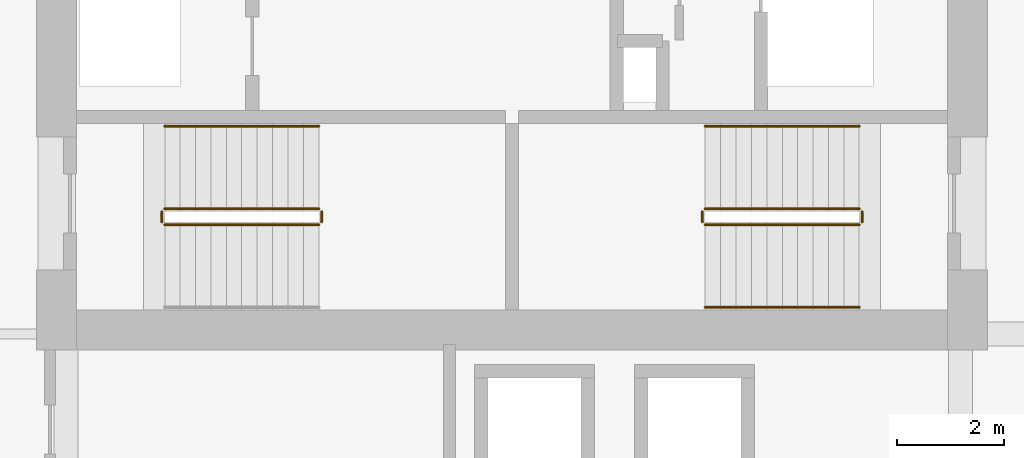
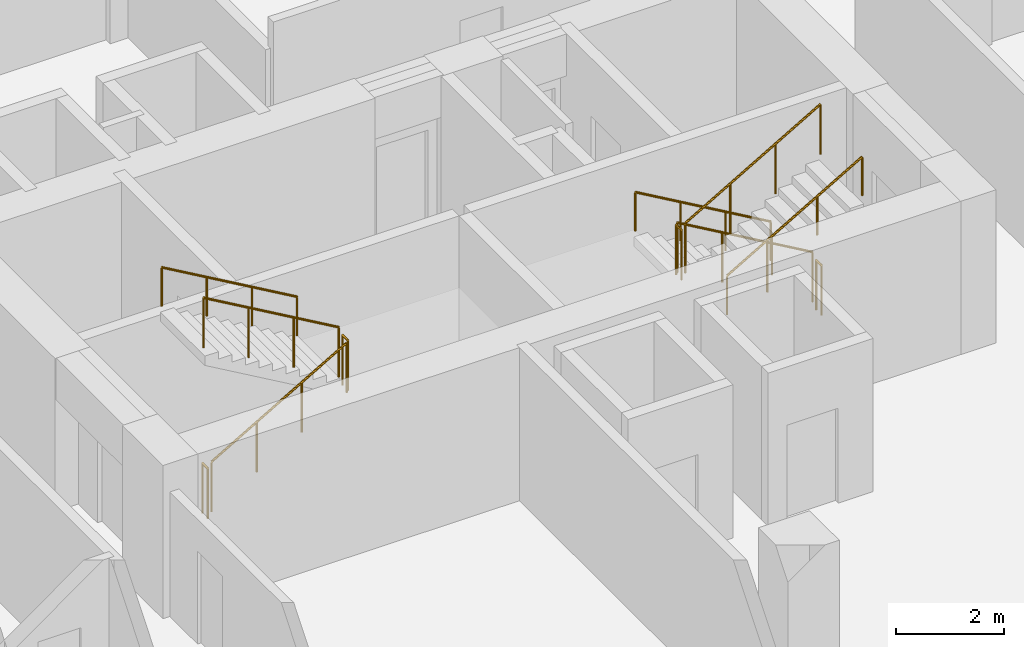
# One storey, part 18 of 20: 11 railings.
"""IFC4 building model written with IfcOpenShell, lengths in metres."""

from ifc_helpers import new_model, si_unit, direction, frame, origin, origin_2d, place, context, subcontext, project, spatial, circle, extrude, material, type_object, element, save


model = new_model("IFC4")

# Units and contexts
model_context = context("Model", 3, precision=1e-05, world=origin(), true_north=direction((0.0, 1.0)))
body_context = subcontext(model_context, "Body", "Model", "MODEL_VIEW")
ifc_project = project(units=[si_unit("LENGTHUNIT", "METRE"), si_unit("AREAUNIT", "SQUARE_METRE"), si_unit("VOLUMEUNIT", "CUBIC_METRE"), si_unit("PLANEANGLEUNIT", "RADIAN"), si_unit("MASSUNIT", "GRAM", prefix="KILO")], contexts=[model_context])

# Site, building, storey
site_placement = place(None, origin())
site = spatial("IfcSite", under=ifc_project, at=site_placement, CompositionType="ELEMENT")
building_placement = place(site_placement, origin())
building = spatial("IfcBuilding", under=site, at=building_placement, Name="Koriwani Terraces Tower", CompositionType="ELEMENT")
storey_placement = place(building_placement, frame((0.0, 0.0, 175.39990234375)))
storey = spatial("IfcBuildingStorey", under=building, at=storey_placement, Name="L42", CompositionType="ELEMENT", Elevation=175.39990234375)

# Railings
ifc_material = material(Name="Steel ASTM A572 Grade 50", Category="steel")
railing_type_1 = type_object("IfcRailingType", Name="GUARD_STAIR_WELL_1120", PredefinedType="GUARDRAIL", material=ifc_material)
railing_1_placement = place(storey_placement, frame((43.85009765625, 18.85009765625, 0.168212890625)))
element("IfcRailing", 1, at=railing_1_placement, inside=storey, type_object=railing_type_1, Name="L42 ST-E1 stair guard 1", PredefinedType="GUARDRAIL", context=body_context, shape_type="SweptSolid", body=[
    extrude(circle(Radius=0.02392578125, at=origin_2d()), frame((0.0, 0.0, 1.1259765625), z_axis=(0.865038774852, 0.0, 0.501705010941), x_axis=(0.0, 1.0, 0.0)), (0.0, 0.0, 1.0), 3.352294921875),
    extrude(circle(Radius=0.02099609375, at=origin_2d()), origin(), (0.0, 0.0, 1.0), 1.101806640625),
    extrude(circle(Radius=0.02099609375, at=origin_2d()), frame((0.966552734375, 0.0, 0.560546875)), (0.0, 0.0, 1.0), 1.101806640625),
    extrude(circle(Radius=0.02099609375, at=origin_2d()), frame((1.933349609375, 0.0, 1.121337890625)), (0.0, 0.0, 1.0), 1.101806640625),
    extrude(circle(Radius=0.02099609375, at=origin_2d()), frame((2.89990234375, 0.0, 1.681884765625)), (0.0, 0.0, 1.0), 1.101806640625),
])
railing_2_placement = place(storey_placement, frame((46.800048828125, 18.89990234375, 1.85009765625)))
element("IfcRailing", 2, at=railing_2_placement, inside=storey, type_object=railing_type_1, Name="L42 ST-E1 stair guard 2", PredefinedType="GUARDRAIL", context=body_context, shape_type="SweptSolid", body=[
    extrude(circle(Radius=0.02392578125, at=origin_2d()), frame((0.0, 0.0, 1.1259765625), z_axis=(0.0, 1.0, 0.0), x_axis=(-1.0, 0.0, 0.0)), (0.0, 0.0, 1.0), 0.2001953125),
    extrude(circle(Radius=0.02099609375, at=origin_2d()), origin(), (0.0, 0.0, 1.0), 1.101806640625),
    extrude(circle(Radius=0.02099609375, at=origin_2d()), frame((0.0, 0.2001953125, 0.0)), (0.0, 0.0, 1.0), 1.101806640625),
])
railing_3_placement = place(storey_placement, frame((46.75, 19.14990234375, 2.018310546875)))
element("IfcRailing", 3, at=railing_3_placement, inside=storey, type_object=railing_type_1, Name="L42 ST-E1 stair guard 3", PredefinedType="GUARDRAIL", context=body_context, shape_type="SweptSolid", body=[
    extrude(circle(Radius=0.02392578125, at=origin_2d()), frame((0.0, 0.0, 1.1259765625), z_axis=(-0.865038774852, 0.0, 0.501705010941), x_axis=(0.0, -1.0, 0.0)), (0.0, 0.0, 1.0), 3.352294921875),
    extrude(circle(Radius=0.02099609375, at=origin_2d()), origin(), (0.0, 0.0, 1.0), 1.101806640625),
    extrude(circle(Radius=0.02099609375, at=origin_2d()), frame((-0.966552734375, 0.0, 0.560546875)), (0.0, 0.0, 1.0), 1.101806640625),
    extrude(circle(Radius=0.02099609375, at=origin_2d()), frame((-1.933349609375, 0.0, 1.121337890625)), (0.0, 0.0, 1.0), 1.101806640625),
    extrude(circle(Radius=0.02099609375, at=origin_2d()), frame((-2.89990234375, 0.0, 1.681884765625)), (0.0, 0.0, 1.0), 1.101806640625),
])
railing_4_placement = place(storey_placement, frame((43.800048828125, 18.89990234375, 0.0)))
element("IfcRailing", 4, at=railing_4_placement, inside=storey, type_object=railing_type_1, Name="L42 ST-E1 stair guard 4", PredefinedType="GUARDRAIL", context=body_context, shape_type="SweptSolid", body=[
    extrude(circle(Radius=0.02392578125, at=origin_2d()), frame((0.0, 0.0, 1.1259765625), z_axis=(0.0, 1.0, 0.0), x_axis=(-1.0, 0.0, 0.0)), (0.0, 0.0, 1.0), 0.2001953125),
    extrude(circle(Radius=0.02099609375, at=origin_2d()), origin(), (0.0, 0.0, 1.0), 1.101806640625),
    extrude(circle(Radius=0.02099609375, at=origin_2d()), frame((0.0, 0.2001953125, 0.0)), (0.0, 0.0, 1.0), 1.101806640625),
])
railing_5_placement = place(storey_placement, frame((56.89990234375, 19.14990234375, 0.168212890625)))
element("IfcRailing", 5, at=railing_5_placement, inside=storey, type_object=railing_type_1, Name="L42 ST-E2 stair guard 1", PredefinedType="GUARDRAIL", context=body_context, shape_type="SweptSolid", body=[
    extrude(circle(Radius=0.02392578125, at=origin_2d()), frame((0.0, 0.0, 1.1259765625), z_axis=(-0.865038774852, 0.0, 0.501705010941), x_axis=(0.0, -1.0, 0.0)), (0.0, 0.0, 1.0), 3.352294921875),
    extrude(circle(Radius=0.02099609375, at=origin_2d()), origin(), (0.0, 0.0, 1.0), 1.101806640625),
    extrude(circle(Radius=0.02099609375, at=origin_2d()), frame((-0.966552734375, 0.0, 0.560546875)), (0.0, 0.0, 1.0), 1.101806640625),
    extrude(circle(Radius=0.02099609375, at=origin_2d()), frame((-1.933349609375, 0.0, 1.121337890625)), (0.0, 0.0, 1.0), 1.101806640625),
    extrude(circle(Radius=0.02099609375, at=origin_2d()), frame((-2.89990234375, 0.0, 1.681884765625)), (0.0, 0.0, 1.0), 1.101806640625),
])
railing_6_placement = place(storey_placement, frame((53.949951171875, 19.10009765625, 1.85009765625)))
element("IfcRailing", 6, at=railing_6_placement, inside=storey, type_object=railing_type_1, Name="L42 ST-E2 stair guard 2", PredefinedType="GUARDRAIL", context=body_context, shape_type="SweptSolid", body=[
    extrude(circle(Radius=0.02392578125, at=origin_2d()), frame((0.0, 0.0, 1.1259765625), z_axis=(0.0, -1.0, 0.0), x_axis=(1.0, 0.0, 0.0)), (0.0, 0.0, 1.0), 0.2001953125),
    extrude(circle(Radius=0.02099609375, at=origin_2d()), origin(), (0.0, 0.0, 1.0), 1.101806640625),
    extrude(circle(Radius=0.02099609375, at=origin_2d()), frame((0.0, -0.2001953125, 0.0)), (0.0, 0.0, 1.0), 1.101806640625),
])
railing_7_placement = place(storey_placement, frame((54.0, 18.85009765625, 2.018310546875)))
element("IfcRailing", 7, at=railing_7_placement, inside=storey, type_object=railing_type_1, Name="L42 ST-E2 stair guard 3", PredefinedType="GUARDRAIL", context=body_context, shape_type="SweptSolid", body=[
    extrude(circle(Radius=0.02392578125, at=origin_2d()), frame((0.0, 0.0, 1.1259765625), z_axis=(0.865038774852, 0.0, 0.501705010941), x_axis=(0.0, 1.0, 0.0)), (0.0, 0.0, 1.0), 3.352294921875),
    extrude(circle(Radius=0.02099609375, at=origin_2d()), origin(), (0.0, 0.0, 1.0), 1.101806640625),
    extrude(circle(Radius=0.02099609375, at=origin_2d()), frame((0.966552734375, 0.0, 0.560546875)), (0.0, 0.0, 1.0), 1.101806640625),
    extrude(circle(Radius=0.02099609375, at=origin_2d()), frame((1.933349609375, 0.0, 1.121337890625)), (0.0, 0.0, 1.0), 1.101806640625),
    extrude(circle(Radius=0.02099609375, at=origin_2d()), frame((2.89990234375, 0.0, 1.681884765625)), (0.0, 0.0, 1.0), 1.101806640625),
])
railing_8_placement = place(storey_placement, frame((56.949951171875, 19.10009765625, 0.0)))
element("IfcRailing", 8, at=railing_8_placement, inside=storey, type_object=railing_type_1, Name="L42 ST-E2 stair guard 4", PredefinedType="GUARDRAIL", context=body_context, shape_type="SweptSolid", body=[
    extrude(circle(Radius=0.02392578125, at=origin_2d()), frame((0.0, 0.0, 1.1259765625), z_axis=(0.0, -1.0, 0.0), x_axis=(1.0, 0.0, 0.0)), (0.0, 0.0, 1.0), 0.2001953125),
    extrude(circle(Radius=0.02099609375, at=origin_2d()), origin(), (0.0, 0.0, 1.0), 1.101806640625),
    extrude(circle(Radius=0.02099609375, at=origin_2d()), frame((0.0, -0.2001953125, 0.0)), (0.0, 0.0, 1.0), 1.101806640625),
])
railing_type_2 = type_object("IfcRailingType", Name="HANDRAIL_STAIR_920", PredefinedType="HANDRAIL", material=ifc_material)
for number, where, name in (
    (9, (46.75, 20.699951171875, 2.018310546875), "L42 ST-E1 stair handrail 2"),
    (10, (56.89990234375, 20.699951171875, 0.168212890625), "L42 ST-E2 stair handrail 1"),
):
    element("IfcRailing", number, at=place(storey_placement, frame(where)), inside=storey, type_object=railing_type_2, Name=name, PredefinedType="HANDRAIL", context=body_context, shape_type="SweptSolid", body=[
        extrude(circle(Radius=0.02392578125, at=origin_2d()), frame((0.0, 0.0, 0.8759765625), z_axis=(-0.865038774852, 0.0, 0.501705010941), x_axis=(0.0, -1.0, 0.0)), (0.0, 0.0, 1.0), 3.352294921875),
        extrude(circle(Radius=0.02099609375, at=origin_2d()), origin(), (0.0, 0.0, 1.0), 0.851806640625),
        extrude(circle(Radius=0.02099609375, at=origin_2d()), frame((-0.966552734375, 0.0, 0.560546875)), (0.0, 0.0, 1.0), 0.851806640625),
        extrude(circle(Radius=0.02099609375, at=origin_2d()), frame((-1.933349609375, 0.0, 1.121337890625)), (0.0, 0.0, 1.0), 0.851806640625),
        extrude(circle(Radius=0.02099609375, at=origin_2d()), frame((-2.89990234375, 0.0, 1.681884765625)), (0.0, 0.0, 1.0), 0.851806640625),
    ])
railing_9_placement = place(storey_placement, frame((54.0, 17.300048828125, 2.018310546875)))
element("IfcRailing", 11, at=railing_9_placement, inside=storey, type_object=railing_type_2, Name="L42 ST-E2 stair handrail 2", PredefinedType="HANDRAIL", context=body_context, shape_type="SweptSolid", body=[
    extrude(circle(Radius=0.02392578125, at=origin_2d()), frame((0.0, 0.0, 0.8759765625), z_axis=(0.865038774852, 0.0, 0.501705010941), x_axis=(0.0, 1.0, 0.0)), (0.0, 0.0, 1.0), 3.352294921875),
    extrude(circle(Radius=0.02099609375, at=origin_2d()), origin(), (0.0, 0.0, 1.0), 0.851806640625),
    extrude(circle(Radius=0.02099609375, at=origin_2d()), frame((0.966552734375, 0.0, 0.560546875)), (0.0, 0.0, 1.0), 0.851806640625),
    extrude(circle(Radius=0.02099609375, at=origin_2d()), frame((1.933349609375, 0.0, 1.121337890625)), (0.0, 0.0, 1.0), 0.851806640625),
    extrude(circle(Radius=0.02099609375, at=origin_2d()), frame((2.89990234375, 0.0, 1.681884765625)), (0.0, 0.0, 1.0), 0.851806640625),
])

save(model, "model.ifc")
